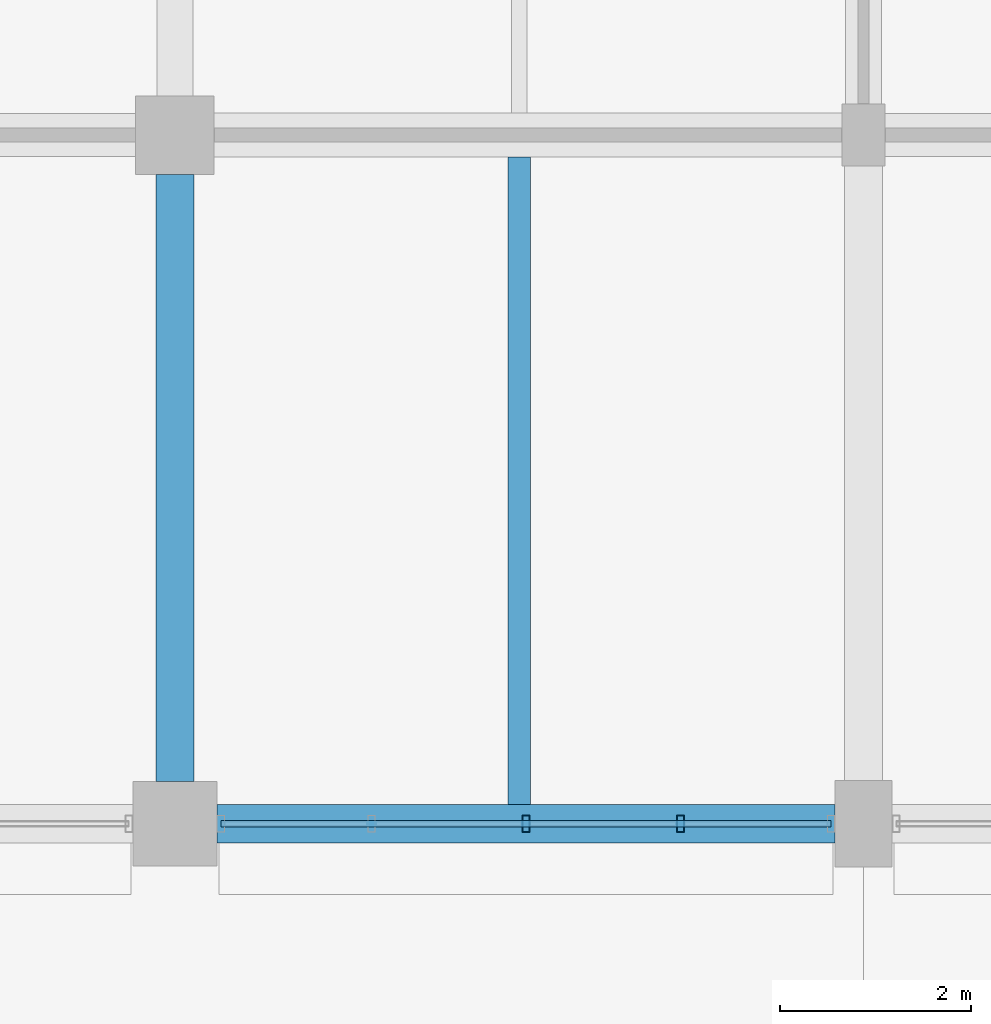
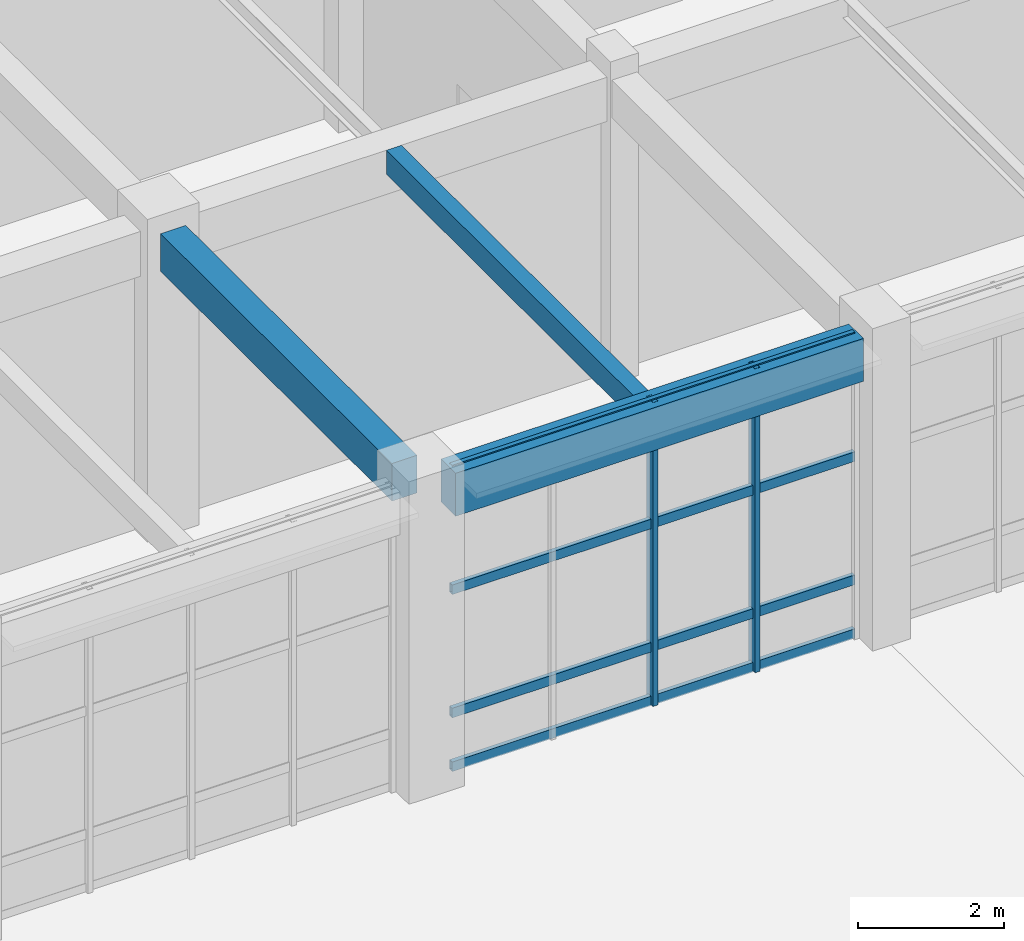
# One storey, part 78 of 160: 6 members, 3 beams, 1 element without a shape of its own.
"""IFC4 building model written with IfcOpenShell, lengths in metres."""

from ifc_helpers import new_model, si_unit, direction, frame, origin, origin_2d, place, context, subcontext, project, spatial, rectangle, hollow_rectangle, extrude, material, material_profile, profile_set, type_object, element, aggregate, save


model = new_model("IFC4")

# Units and contexts
model_context = context("Model", 3, precision=1e-05, world=origin(), true_north=direction((0.0, 1.0)))
body_context = subcontext(model_context, "Body", "Model", "MODEL_VIEW")
ifc_project = project(units=[si_unit("LENGTHUNIT", "METRE"), si_unit("AREAUNIT", "SQUARE_METRE"), si_unit("VOLUMEUNIT", "CUBIC_METRE"), si_unit("PLANEANGLEUNIT", "RADIAN"), si_unit("MASSUNIT", "GRAM", prefix="KILO")], contexts=[model_context])

# Site, building, storey
site_placement = place(None, origin())
site = spatial("IfcSite", under=ifc_project, at=site_placement, CompositionType="ELEMENT")
building_placement = place(site_placement, origin())
building = spatial("IfcBuilding", under=site, at=building_placement, Name="Thalmaran Polytechnic", CompositionType="ELEMENT")
storey_placement = place(building_placement, origin())
storey = spatial("IfcBuildingStorey", under=building, at=storey_placement, Name="L00", CompositionType="ELEMENT", Elevation=0.0)

# Beams
ifc_material_1 = material(Name="Concrete C40/50", Category="concrete")
ifc_material_profile_1 = material_profile(ifc_material_1, rectangle(XDim=0.39990234375, YDim=0.6298828125, at=origin_2d()), Name="RC 400x630")
ifc_profile_set_1 = profile_set([ifc_material_profile_1], Name="Concrete C40/50")
beam_type_1 = type_object("IfcBeamType", Name="BM-RC07", PredefinedType="BEAM", material=ifc_profile_set_1)
beam_1_placement = place(storey_placement, frame((86.39990234375, 94.0400390625, 4.77490234375), z_axis=(0.0, 1.0, 0.0), x_axis=(-1.0, 0.0, 0.0)))
element("IfcBeam", 1, at=beam_1_placement, inside=storey, type_object=beam_type_1, Name="Grid Beam B07 L00 Y(12,13)", PredefinedType="BEAM", context=body_context, shape_type="SweptSolid", body=[
    extrude(rectangle(XDim=0.39990234375, YDim=0.6298828125, at=origin_2d()), origin(), (0.0, 0.0, 1.0), 6.349853515625),
])
ifc_material_profile_2 = material_profile(ifc_material_1, rectangle(XDim=0.39990234375, YDim=0.719970703125, at=origin_2d()), Name="RC 400x720")
ifc_profile_set_2 = profile_set([ifc_material_profile_2], Name="Concrete C40/50")
beam_type_2 = type_object("IfcBeamType", Name="BM-SP01", PredefinedType="SPANDREL", material=ifc_profile_set_2)
beam_2_placement = place(storey_placement, frame((86.840087890625, 93.60009765625, 4.72998046875), z_axis=(1.0, 0.0, 0.0), x_axis=(0.0, 1.0, 0.0)))
element("IfcBeam", 2, at=beam_2_placement, inside=storey, type_object=beam_type_2, Name="Grid Beam SP01 L00 X(12,13)", PredefinedType="SPANDREL", context=body_context, shape_type="SweptSolid", body=[
    extrude(rectangle(XDim=0.39990234375, YDim=0.719970703125, at=origin_2d()), origin(), (0.0, 0.0, 1.0), 6.4599609375),
])
ifc_material_profile_3 = material_profile(ifc_material_1, rectangle(XDim=0.239990234375, YDim=0.39990234375, at=origin_2d()), Name="RC 240x400")
ifc_profile_set_3 = profile_set([ifc_material_profile_3], Name="Concrete C40/50")
beam_type_3 = type_object("IfcBeamType", Name="BM-ZJ04", PredefinedType="JOIST", material=ifc_profile_set_3)
beam_3_placement = place(storey_placement, frame((90.0, 93.800048828125, 4.889892578125), z_axis=(0.0, 1.0, 0.0), x_axis=(-1.0, 0.0, 0.0)))
element("IfcBeam", 3, at=beam_3_placement, inside=storey, type_object=beam_type_3, Name="Secondary Floor Rib ZJ04 L00 (12,13)", PredefinedType="JOIST", context=body_context, shape_type="SweptSolid", body=[
    extrude(rectangle(XDim=0.239990234375, YDim=0.39990234375, at=origin_2d()), origin(), (0.0, 0.0, 1.0), 6.77001953125),
])

# Curtain wall, members
ifc_material_2 = material(Name="Aluminium 6063-T6", Category="aluminium")
curtain_wall_type = type_object("IfcCurtainWallType", Name="CW-UC01", PredefinedType="USERDEFINED", material=ifc_material_2)
curtain_wall_placement = place(storey_placement, origin())
curtain_wall = element("IfcCurtainWall", 4, at=curtain_wall_placement, inside=storey, type_object=curtain_wall_type, Name="Curtain Wall CW-L00-077", ObjectType="UNITISED CURTAIN WALL", PredefinedType="USERDEFINED")
ifc_material_profile_4 = material_profile(ifc_material_2, hollow_rectangle(XDim=0.080078125, YDim=0.179931640625, WallThickness=0.0048828125, at=origin_2d()), Name="RHS 180x80x5.0")
ifc_profile_set_4 = profile_set([ifc_material_profile_4], Name="Aluminium 6063-T6")
member_type_1 = type_object("IfcMemberType", Name="CW-MUL1", PredefinedType="MULLION", material=ifc_profile_set_4)
member_1_placement = place(storey_placement, frame((91.68505859375, 93.60009765625, 0.0), z_axis=(0.0, 0.0, 1.0), x_axis=(1.0, 0.0, 0.0)))
member_1 = element("IfcMember", 5, at=member_1_placement, type_object=member_type_1, Name="CW-L00-077 Mullion 2", PredefinedType="MULLION", context=body_context, shape_type="SweptSolid", body=[
    extrude(hollow_rectangle(XDim=0.080078125, YDim=0.179931640625, WallThickness=0.0048828125, at=origin_2d()), origin(), (0.0, 0.0, 1.0), 5.090087890625),
])
member_2_placement = place(storey_placement, frame((90.070068359375, 93.60009765625, 0.0), z_axis=(0.0, 0.0, 1.0), x_axis=(1.0, 0.0, 0.0)))
member_2 = element("IfcMember", 6, at=member_2_placement, type_object=member_type_1, Name="CW-L00-077 Mullion 3", PredefinedType="MULLION", context=body_context, shape_type="SweptSolid", body=[
    extrude(hollow_rectangle(XDim=0.080078125, YDim=0.179931640625, WallThickness=0.0048828125, at=origin_2d()), origin(), (0.0, 0.0, 1.0), 5.090087890625),
])
ifc_material_profile_5 = material_profile(ifc_material_2, hollow_rectangle(XDim=0.070068359375, YDim=0.159912109375, WallThickness=0.00390625, at=origin_2d()), Name="AL 160x70x4.0")
ifc_profile_set_5 = profile_set([ifc_material_profile_5], Name="Aluminium 6063-T6")
member_type_2 = type_object("IfcMemberType", Name="CW-TRN1", PredefinedType="USERDEFINED", material=ifc_profile_set_5)
member_3_placement = place(storey_placement, frame((93.260009765625, 93.60009765625, 0.06005859375), z_axis=(-1.0, 0.0, 0.0), x_axis=(0.0, -1.0, 0.0)))
member_3 = element("IfcMember", 7, at=member_3_placement, type_object=member_type_2, Name="CW-L00-077 Transom 1", ObjectType="TRANSOM", PredefinedType="USERDEFINED", context=body_context, shape_type="SweptSolid", body=[
    extrude(hollow_rectangle(XDim=0.070068359375, YDim=0.159912109375, WallThickness=0.00390625, at=origin_2d()), origin(), (0.0, 0.0, 1.0), 6.380126953125),
])
member_4_placement = place(storey_placement, frame((93.260009765625, 93.60009765625, 0.9599609375), z_axis=(-1.0, 0.0, 0.0), x_axis=(0.0, -1.0, 0.0)))
member_4 = element("IfcMember", 8, at=member_4_placement, type_object=member_type_2, Name="CW-L00-077 Transom 2", ObjectType="TRANSOM", PredefinedType="USERDEFINED", context=body_context, shape_type="SweptSolid", body=[
    extrude(hollow_rectangle(XDim=0.070068359375, YDim=0.159912109375, WallThickness=0.00390625, at=origin_2d()), origin(), (0.0, 0.0, 1.0), 6.380126953125),
])
member_5_placement = place(storey_placement, frame((93.260009765625, 93.60009765625, 3.02490234375), z_axis=(-1.0, 0.0, 0.0), x_axis=(0.0, -1.0, 0.0)))
member_5 = element("IfcMember", 9, at=member_5_placement, type_object=member_type_2, Name="CW-L00-077 Transom 3", ObjectType="TRANSOM", PredefinedType="USERDEFINED", context=body_context, shape_type="SweptSolid", body=[
    extrude(hollow_rectangle(XDim=0.070068359375, YDim=0.159912109375, WallThickness=0.00390625, at=origin_2d()), origin(), (0.0, 0.0, 1.0), 6.380126953125),
])
member_6_placement = place(storey_placement, frame((93.260009765625, 93.60009765625, 5.030029296875), z_axis=(-1.0, 0.0, 0.0), x_axis=(0.0, -1.0, 0.0)))
member_6 = element("IfcMember", 10, at=member_6_placement, type_object=member_type_2, Name="CW-L00-077 Transom 4", ObjectType="TRANSOM", PredefinedType="USERDEFINED", context=body_context, shape_type="SweptSolid", body=[
    extrude(hollow_rectangle(XDim=0.070068359375, YDim=0.159912109375, WallThickness=0.00390625, at=origin_2d()), origin(), (0.0, 0.0, 1.0), 6.380126953125),
])
aggregate(curtain_wall, [member_1, member_2, member_3, member_4, member_5, member_6])

save(model, "model.ifc")
